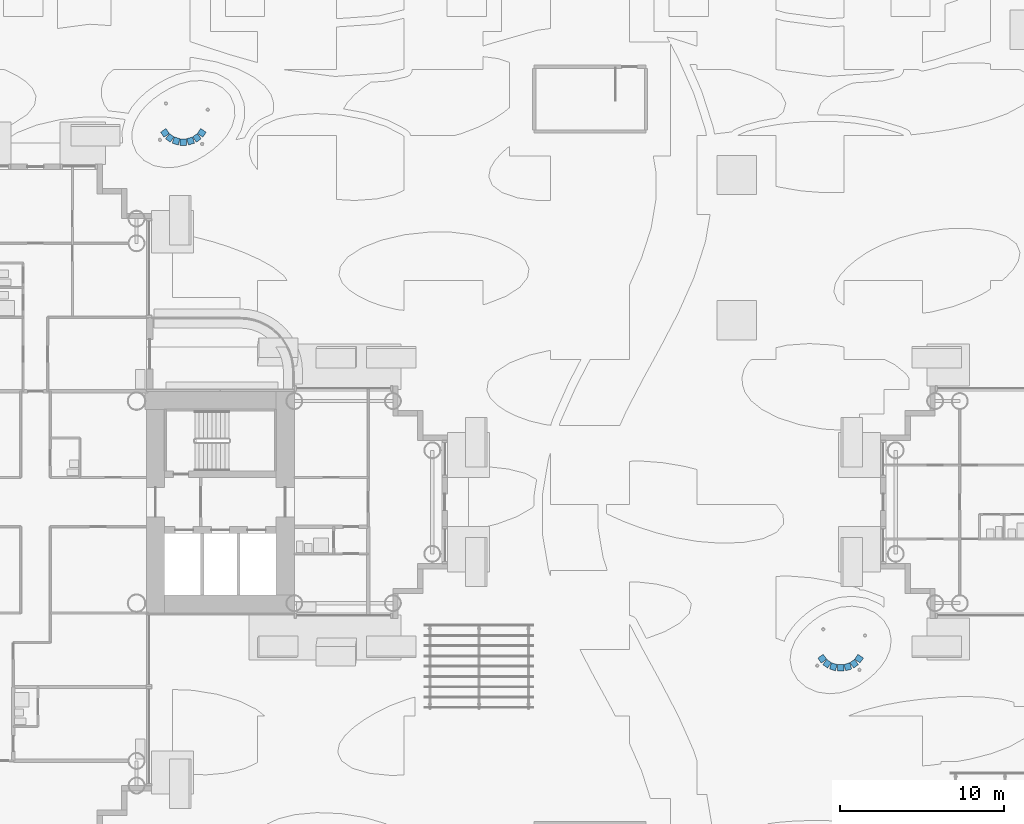
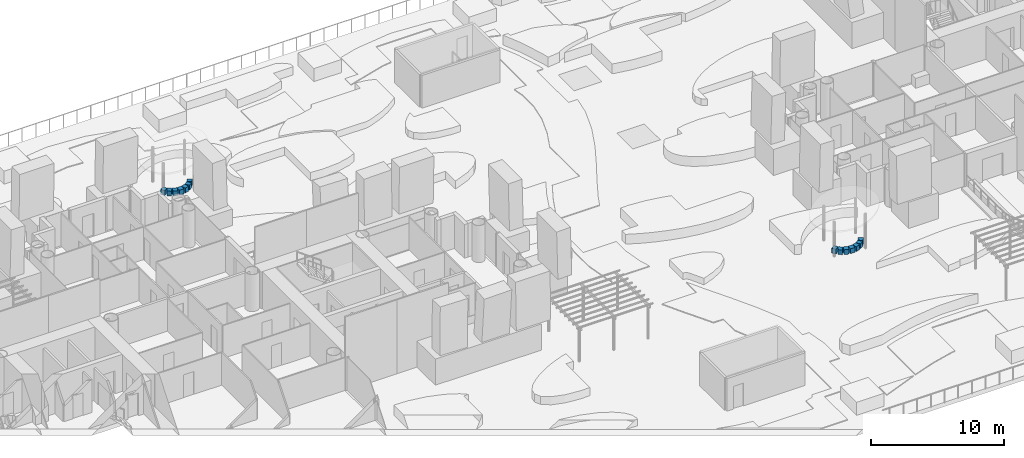
# One storey, part 31 of 40: 14 walls.
"""IFC4 building model written with IfcOpenShell, lengths in metres."""

from ifc_helpers import new_model, si_unit, direction, frame, frame_2d, origin, place, context, subcontext, project, spatial, rectangle, extrude, material, layer, layer_set, type_object, element, save


model = new_model("IFC4")

# Units and contexts
model_context = context("Model", 3, precision=1e-05, world=origin(), true_north=direction((0.0, 1.0)))
body_context = subcontext(model_context, "Body", "Model", "MODEL_VIEW")
ifc_project = project(units=[si_unit("LENGTHUNIT", "METRE"), si_unit("AREAUNIT", "SQUARE_METRE"), si_unit("VOLUMEUNIT", "CUBIC_METRE"), si_unit("PLANEANGLEUNIT", "RADIAN"), si_unit("MASSUNIT", "GRAM", prefix="KILO")], contexts=[model_context])

# Site, building, storey
site_placement = place(None, origin())
site = spatial("IfcSite", under=ifc_project, at=site_placement, CompositionType="ELEMENT")
building_placement = place(site_placement, origin())
building = spatial("IfcBuilding", under=site, at=building_placement, Name="Ipe Terrace Towers", CompositionType="ELEMENT")
storey_placement = place(building_placement, frame((0.0, 0.0, 24.5)))
storey = spatial("IfcBuildingStorey", under=building, at=storey_placement, Name="L05", CompositionType="ELEMENT", Elevation=24.5)

# Walls
ifc_material = material(Name="Concrete C40/50 with buff precast cladding", Category="concrete")
ifc_layer = layer(ifc_material, 0.39990234375)
ifc_layer_set = layer_set([ifc_layer], Name="SEATING WALL 400")
wall_type = type_object("IfcWallType", Name="SEATING WALL 400", PredefinedType="STANDARD", material=ifc_layer_set)
wall_1_placement = place(storey_placement, frame((11.778076171875, -9.3779296875, -0.02001953125), z_axis=(0.0, 0.0, 1.0), x_axis=(0.562566758195, -0.826751862758, 0.0)))
element("IfcWall", 1, at=wall_1_placement, inside=storey, type_object=wall_type, Name="seating wall", PredefinedType="STANDARD", context=body_context, shape_type="SweptSolid", body=[
    extrude(rectangle(XDim=0.364013671875, YDim=0.39990234375, at=frame_2d((0.18212890625, 0.0))), origin(), (0.0, 0.0, 1.0), 0.449951171875),
])
wall_2_placement = place(storey_placement, frame((12.034912109375, -9.73193359375, -0.02001953125), z_axis=(0.0, 0.0, 1.0), x_axis=(0.813733471207, -0.581238193719, 0.0)))
element("IfcWall", 2, at=wall_2_placement, inside=storey, type_object=wall_type, Name="seating wall", PredefinedType="STANDARD", context=body_context, shape_type="SweptSolid", body=[
    extrude(rectangle(XDim=0.352783203125, YDim=0.39990234375, at=frame_2d((0.17626953125, 0.0))), origin(), (0.0, 0.0, 1.0), 0.449951171875),
])
wall_3_placement = place(storey_placement, frame((12.383056640625, -9.967041015625, -0.02001953125), z_axis=(0.0, 0.0, 1.0), x_axis=(0.95477916578, -0.297315900335, 0.0)))
element("IfcWall", 3, at=wall_3_placement, inside=storey, type_object=wall_type, Name="seating wall", PredefinedType="STANDARD", context=body_context, shape_type="SweptSolid", body=[
    extrude(rectangle(XDim=0.376953125, YDim=0.39990234375, at=frame_2d((0.1884765625, 0.0))), origin(), (0.0, 0.0, 1.0), 0.449951171875),
])
wall_4_placement = place(storey_placement, frame((12.805908203125, -10.087890625, -0.02001953125), z_axis=(0.0, 0.0, 1.0), x_axis=(1.0, 0.0, 0.0)))
element("IfcWall", 4, at=wall_4_placement, inside=storey, type_object=wall_type, Name="seating wall", PredefinedType="STANDARD", context=body_context, shape_type="SweptSolid", body=[
    extrude(rectangle(XDim=0.38818359375, YDim=0.39990234375, at=frame_2d((0.194091796875, 0.0))), origin(), (0.0, 0.0, 1.0), 0.449951171875),
])
wall_5_placement = place(storey_placement, frame((13.257080078125, -10.0791015625, -0.02001953125), z_axis=(0.0, 0.0, 1.0), x_axis=(0.95477916578, 0.297315900335, 0.0)))
element("IfcWall", 5, at=wall_5_placement, inside=storey, type_object=wall_type, Name="seating wall", PredefinedType="STANDARD", context=body_context, shape_type="SweptSolid", body=[
    extrude(rectangle(XDim=0.376953125, YDim=0.39990234375, at=frame_2d((0.1884765625, 0.0))), origin(), (0.0, 0.0, 1.0), 0.449951171875),
])
wall_6_placement = place(storey_placement, frame((13.677978515625, -9.93701171875, -0.02001953125), z_axis=(0.0, 0.0, 1.0), x_axis=(0.813733471207, 0.581238193719, 0.0)))
element("IfcWall", 6, at=wall_6_placement, inside=storey, type_object=wall_type, Name="seating wall", PredefinedType="STANDARD", context=body_context, shape_type="SweptSolid", body=[
    extrude(rectangle(XDim=0.352783203125, YDim=0.39990234375, at=frame_2d((0.17626953125, 0.0))), origin(), (0.0, 0.0, 1.0), 0.449951171875),
])
for number, where, z_axis, x_axis, name in (
    (7, (14.01708984375, -9.678955078125, -0.02001953125), (0.0, 0.0, 1.0), (0.562566758195, 0.826751862758, 0.0), "seating wall"),
    (8, (-28.221923828125, 22.6220703125, -0.02001953125), (0.0, 0.0, 1.0), (0.562566758195, -0.826751862758, 0.0), "seating wall"),
):
    element("IfcWall", number, at=place(storey_placement, frame(where, z_axis=z_axis, x_axis=x_axis)), inside=storey, type_object=wall_type, Name=name, PredefinedType="STANDARD", context=body_context, shape_type="SweptSolid", body=[
        extrude(rectangle(XDim=0.364013671875, YDim=0.39990234375, at=frame_2d((0.18212890625, 0.0))), origin(), (0.0, 0.0, 1.0), 0.449951171875),
    ])
wall_7_placement = place(storey_placement, frame((-27.965087890625, 22.26806640625, -0.02001953125), z_axis=(0.0, 0.0, 1.0), x_axis=(0.813733471207, -0.581238193719, 0.0)))
element("IfcWall", 9, at=wall_7_placement, inside=storey, type_object=wall_type, Name="seating wall", PredefinedType="STANDARD", context=body_context, shape_type="SweptSolid", body=[
    extrude(rectangle(XDim=0.352783203125, YDim=0.39990234375, at=frame_2d((0.17626953125, 0.0))), origin(), (0.0, 0.0, 1.0), 0.449951171875),
])
wall_8_placement = place(storey_placement, frame((-27.616943359375, 22.032958984375, -0.02001953125), z_axis=(0.0, 0.0, 1.0), x_axis=(0.95477916578, -0.297315900335, 0.0)))
element("IfcWall", 10, at=wall_8_placement, inside=storey, type_object=wall_type, Name="seating wall", PredefinedType="STANDARD", context=body_context, shape_type="SweptSolid", body=[
    extrude(rectangle(XDim=0.376953125, YDim=0.39990234375, at=frame_2d((0.1884765625, 0.0))), origin(), (0.0, 0.0, 1.0), 0.449951171875),
])
wall_9_placement = place(storey_placement, frame((-27.194091796875, 21.912109375, -0.02001953125), z_axis=(0.0, 0.0, 1.0), x_axis=(1.0, 0.0, 0.0)))
element("IfcWall", 11, at=wall_9_placement, inside=storey, type_object=wall_type, Name="seating wall", PredefinedType="STANDARD", context=body_context, shape_type="SweptSolid", body=[
    extrude(rectangle(XDim=0.38818359375, YDim=0.39990234375, at=frame_2d((0.194091796875, 0.0))), origin(), (0.0, 0.0, 1.0), 0.449951171875),
])
wall_10_placement = place(storey_placement, frame((-26.742919921875, 21.9208984375, -0.02001953125), z_axis=(0.0, 0.0, 1.0), x_axis=(0.95477916578, 0.297315900335, 0.0)))
element("IfcWall", 12, at=wall_10_placement, inside=storey, type_object=wall_type, Name="seating wall", PredefinedType="STANDARD", context=body_context, shape_type="SweptSolid", body=[
    extrude(rectangle(XDim=0.376953125, YDim=0.39990234375, at=frame_2d((0.1884765625, 0.0))), origin(), (0.0, 0.0, 1.0), 0.449951171875),
])
wall_11_placement = place(storey_placement, frame((-26.322021484375, 22.06298828125, -0.02001953125), z_axis=(0.0, 0.0, 1.0), x_axis=(0.813733471207, 0.581238193719, 0.0)))
element("IfcWall", 13, at=wall_11_placement, inside=storey, type_object=wall_type, Name="seating wall", PredefinedType="STANDARD", context=body_context, shape_type="SweptSolid", body=[
    extrude(rectangle(XDim=0.352783203125, YDim=0.39990234375, at=frame_2d((0.17626953125, 0.0))), origin(), (0.0, 0.0, 1.0), 0.449951171875),
])
wall_12_placement = place(storey_placement, frame((-25.98291015625, 22.321044921875, -0.02001953125), z_axis=(0.0, 0.0, 1.0), x_axis=(0.562566758195, 0.826751862758, 0.0)))
element("IfcWall", 14, at=wall_12_placement, inside=storey, type_object=wall_type, Name="seating wall", PredefinedType="STANDARD", context=body_context, shape_type="SweptSolid", body=[
    extrude(rectangle(XDim=0.364013671875, YDim=0.39990234375, at=frame_2d((0.18212890625, 0.0))), origin(), (0.0, 0.0, 1.0), 0.449951171875),
])

save(model, "model.ifc")
